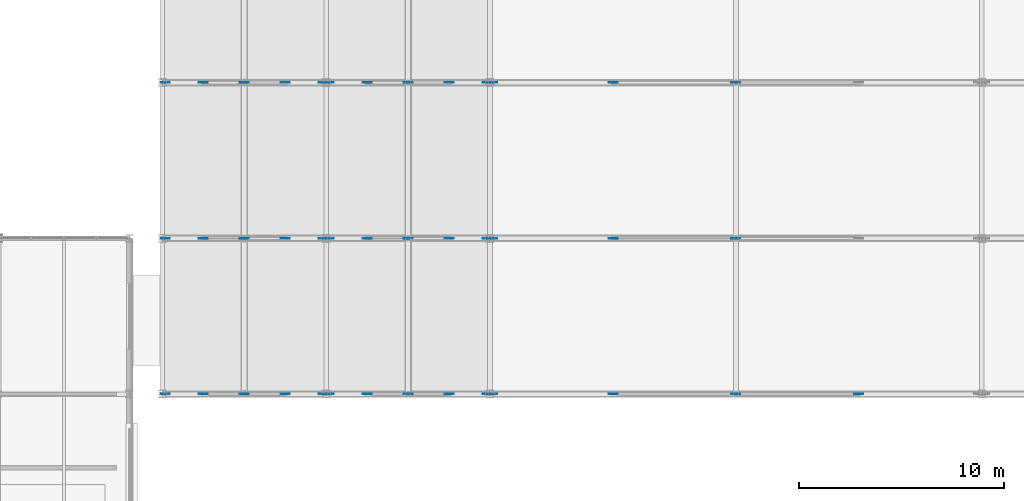
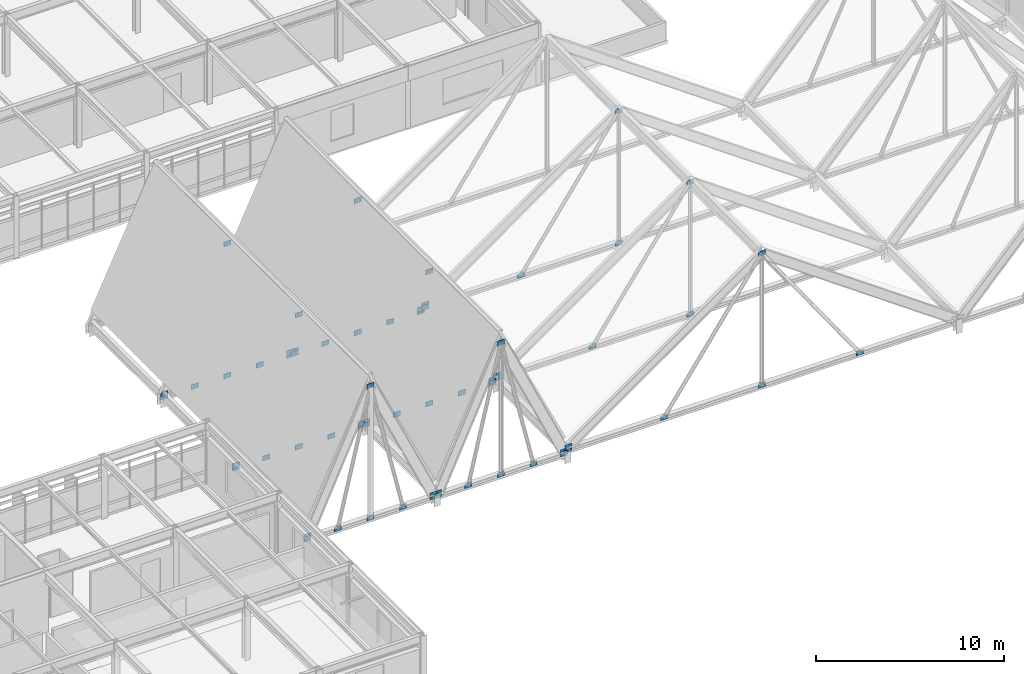
# One storey, part 65 of 85: 64 plates.
"""IFC4 building model written with IfcOpenShell, lengths in metres."""

from ifc_helpers import new_model, si_unit, direction, frame, origin, origin_2d, place, context, subcontext, project, spatial, rectangle, extrude, material, layer, layer_set, type_object, element, save


model = new_model("IFC4")

# Units and contexts
model_context = context("Model", 3, precision=1e-05, world=origin(), true_north=direction((0.0, 1.0)))
body_context = subcontext(model_context, "Body", "Model", "MODEL_VIEW")
ifc_project = project(units=[si_unit("LENGTHUNIT", "METRE"), si_unit("AREAUNIT", "SQUARE_METRE"), si_unit("VOLUMEUNIT", "CUBIC_METRE"), si_unit("PLANEANGLEUNIT", "RADIAN"), si_unit("MASSUNIT", "GRAM", prefix="KILO")], contexts=[model_context])

# Site, building, storey
site_placement = place(None, origin())
site = spatial("IfcSite", under=ifc_project, at=site_placement, CompositionType="ELEMENT")
building_placement = place(site_placement, origin())
building = spatial("IfcBuilding", under=site, at=building_placement, Name="Zulena Civic Courthouse", CompositionType="ELEMENT")
storey_placement = place(building_placement, frame((0.0, 0.0, 25.199951171875)))
storey = spatial("IfcBuildingStorey", under=building, at=storey_placement, Name="L05", CompositionType="ELEMENT", Elevation=25.199951171875)

# Plates
ifc_material = material(Name="Steel ASTM A572 Grade 50", Category="steel")
ifc_layer = layer(ifc_material, 0.02490234375)
ifc_layer_set = layer_set([ifc_layer], Name="Steel ASTM A572 Grade 50")
plate_type = type_object("IfcPlateType", Name="GussetPlate_440x320x25", PredefinedType="SHEET", material=ifc_layer_set)
for number, where, z_axis, x_axis, name in (
    (1, (68.139892578125, 15.199951171875, 0.18310546875), (0.0, 0.0, 1.0), (1.0, 0.0, 0.0), "plate:fd:postW:01:15.2:0"),
    (2, (68.139892578125, 15.199951171875, 0.3427734375), (0.0, 0.0, 1.0), (1.0, 0.0, 0.0), "plate:fd:postW:01:15.2:1"),
    (3, (75.860107421875, 15.199951171875, 0.18310546875), (0.0, 0.0, 1.0), (1.0, 0.0, 0.0), "plate:fd:postE:01:15.2:0"),
    (4, (75.860107421875, 15.199951171875, 0.3427734375), (0.0, 0.0, 1.0), (1.0, 0.0, 0.0), "plate:fd:postE:01:15.2:1"),
    (5, (72.0, 15.199951171875, 0.18310546875), (0.0, 0.0, 1.0), (1.0, 0.0, 0.0), "plate:fd:king:01:15.2:0"),
    (6, (72.0, 15.199951171875, 8.7431640625), (0.0, 0.0, 1.0), (1.0, 0.0, 0.0), "plate:fd:king:01:15.2:1"),
    (7, (70.0, 15.199951171875, 0.18310546875), (0.0, 0.0, 1.0), (1.0, 0.0, 0.0), "plate:fd:diagW:01:15.2:0"),
    (8, (74.0, 15.199951171875, 0.18310546875), (0.0, 0.0, 1.0), (1.0, 0.0, 0.0), "plate:fd:diagE:01:15.2:0"),
    (9, (68.139892578125, 22.800048828125, 0.18310546875), (0.0, 0.0, 1.0), (1.0, 0.0, 0.0), "plate:fd:postW:01:22.8:0"),
    (10, (68.139892578125, 22.800048828125, 0.3427734375), (0.0, 0.0, 1.0), (1.0, 0.0, 0.0), "plate:fd:postW:01:22.8:1"),
    (11, (75.860107421875, 22.800048828125, 0.18310546875), (0.0, 0.0, 1.0), (1.0, 0.0, 0.0), "plate:fd:postE:01:22.8:0"),
    (12, (75.860107421875, 22.800048828125, 0.3427734375), (0.0, 0.0, 1.0), (1.0, 0.0, 0.0), "plate:fd:postE:01:22.8:1"),
    (13, (72.0, 22.800048828125, 0.18310546875), (0.0, 0.0, 1.0), (1.0, 0.0, 0.0), "plate:fd:king:01:22.8:0"),
    (14, (72.0, 22.800048828125, 8.7431640625), (0.0, 0.0, 1.0), (1.0, 0.0, 0.0), "plate:fd:king:01:22.8:1"),
    (15, (70.0, 22.800048828125, 0.18310546875), (0.0, 0.0, 1.0), (1.0, 0.0, 0.0), "plate:fd:diagW:01:22.8:0"),
    (16, (74.0, 22.800048828125, 0.18310546875), (0.0, 0.0, 1.0), (1.0, 0.0, 0.0), "plate:fd:diagE:01:22.8:0"),
    (17, (68.139892578125, 30.39990234375, 0.18310546875), (0.0, 0.0, 1.0), (1.0, 0.0, 0.0), "plate:fd:postW:01:30.4:0"),
    (18, (68.139892578125, 30.39990234375, 0.3427734375), (0.0, 0.0, 1.0), (1.0, 0.0, 0.0), "plate:fd:postW:01:30.4:1"),
    (19, (75.860107421875, 30.39990234375, 0.18310546875), (0.0, 0.0, 1.0), (1.0, 0.0, 0.0), "plate:fd:postE:01:30.4:0"),
    (20, (75.860107421875, 30.39990234375, 0.3427734375), (0.0, 0.0, 1.0), (1.0, 0.0, 0.0), "plate:fd:postE:01:30.4:1"),
    (21, (72.0, 30.39990234375, 0.18310546875), (0.0, 0.0, 1.0), (1.0, 0.0, 0.0), "plate:fd:king:01:30.4:0"),
    (22, (72.0, 30.39990234375, 8.7431640625), (0.0, 0.0, 1.0), (1.0, 0.0, 0.0), "plate:fd:king:01:30.4:1"),
    (23, (70.0, 30.39990234375, 0.18310546875), (0.0, 0.0, 1.0), (1.0, 0.0, 0.0), "plate:fd:diagW:01:30.4:0"),
    (24, (74.0, 30.39990234375, 0.18310546875), (0.0, 0.0, 1.0), (1.0, 0.0, 0.0), "plate:fd:diagE:01:30.4:0"),
    (25, (76.139892578125, 15.199951171875, 0.18310546875), (0.0, 0.0, 1.0), (1.0, 0.0, 0.0), "plate:fd:postW:02:15.2:0"),
    (26, (76.139892578125, 15.199951171875, 0.3427734375), (0.0, 0.0, 1.0), (1.0, 0.0, 0.0), "plate:fd:postW:02:15.2:1"),
    (27, (83.860107421875, 15.199951171875, 0.18310546875), (0.0, 0.0, 1.0), (1.0, 0.0, 0.0), "plate:fd:postE:02:15.2:0"),
    (28, (83.860107421875, 15.199951171875, 0.3427734375), (0.0, 0.0, 1.0), (1.0, 0.0, 0.0), "plate:fd:postE:02:15.2:1"),
    (29, (80.0, 15.199951171875, 0.18310546875), (0.0, 0.0, 1.0), (1.0, 0.0, 0.0), "plate:fd:king:02:15.2:0"),
    (30, (80.0, 15.199951171875, 8.7431640625), (0.0, 0.0, 1.0), (1.0, 0.0, 0.0), "plate:fd:king:02:15.2:1"),
    (31, (78.0, 15.199951171875, 0.18310546875), (0.0, 0.0, 1.0), (1.0, 0.0, 0.0), "plate:fd:diagW:02:15.2:0"),
    (32, (82.0, 15.199951171875, 0.18310546875), (0.0, 0.0, 1.0), (1.0, 0.0, 0.0), "plate:fd:diagE:02:15.2:0"),
    (33, (76.139892578125, 22.800048828125, 0.18310546875), (0.0, 0.0, 1.0), (1.0, 0.0, 0.0), "plate:fd:postW:02:22.8:0"),
    (34, (76.139892578125, 22.800048828125, 0.3427734375), (0.0, 0.0, 1.0), (1.0, 0.0, 0.0), "plate:fd:postW:02:22.8:1"),
    (35, (83.860107421875, 22.800048828125, 0.18310546875), (0.0, 0.0, 1.0), (1.0, 0.0, 0.0), "plate:fd:postE:02:22.8:0"),
    (36, (83.860107421875, 22.800048828125, 0.3427734375), (0.0, 0.0, 1.0), (1.0, 0.0, 0.0), "plate:fd:postE:02:22.8:1"),
    (37, (80.0, 22.800048828125, 0.18310546875), (0.0, 0.0, 1.0), (1.0, 0.0, 0.0), "plate:fd:king:02:22.8:0"),
    (38, (80.0, 22.800048828125, 8.7431640625), (0.0, 0.0, 1.0), (1.0, 0.0, 0.0), "plate:fd:king:02:22.8:1"),
    (39, (78.0, 22.800048828125, 0.18310546875), (0.0, 0.0, 1.0), (1.0, 0.0, 0.0), "plate:fd:diagW:02:22.8:0"),
    (40, (82.0, 22.800048828125, 0.18310546875), (0.0, 0.0, 1.0), (1.0, 0.0, 0.0), "plate:fd:diagE:02:22.8:0"),
    (41, (76.139892578125, 30.39990234375, 0.18310546875), (0.0, 0.0, 1.0), (1.0, 0.0, 0.0), "plate:fd:postW:02:30.4:0"),
    (42, (76.139892578125, 30.39990234375, 0.3427734375), (0.0, 0.0, 1.0), (1.0, 0.0, 0.0), "plate:fd:postW:02:30.4:1"),
    (43, (83.860107421875, 30.39990234375, 0.18310546875), (0.0, 0.0, 1.0), (1.0, 0.0, 0.0), "plate:fd:postE:02:30.4:0"),
    (44, (83.860107421875, 30.39990234375, 0.3427734375), (0.0, 0.0, 1.0), (1.0, 0.0, 0.0), "plate:fd:postE:02:30.4:1"),
    (45, (80.0, 30.39990234375, 0.18310546875), (0.0, 0.0, 1.0), (1.0, 0.0, 0.0), "plate:fd:king:02:30.4:0"),
    (46, (80.0, 30.39990234375, 8.7431640625), (0.0, 0.0, 1.0), (1.0, 0.0, 0.0), "plate:fd:king:02:30.4:1"),
    (47, (78.0, 30.39990234375, 0.18310546875), (0.0, 0.0, 1.0), (1.0, 0.0, 0.0), "plate:fd:diagW:02:30.4:0"),
    (48, (82.0, 30.39990234375, 0.18310546875), (0.0, 0.0, 1.0), (1.0, 0.0, 0.0), "plate:fd:diagE:02:30.4:0"),
    (49, (84.139892578125, 15.199951171875, 0.37646484375), (0.0, 0.0, 1.0), (1.0, 0.0, 0.0), "plate:fd:postW:03:15.2:0"),
    (50, (84.139892578125, 15.199951171875, 0.53662109375), (0.0, 0.0, 1.0), (1.0, 0.0, 0.0), "plate:fd:postW:03:15.2:1"),
    (51, (96.0, 15.199951171875, 0.37646484375), (0.0, 0.0, 1.0), (1.0, 0.0, 0.0), "plate:fd:king:03:15.2:0"),
    (52, (96.0, 15.199951171875, 8.9365234375), (0.0, 0.0, 1.0), (1.0, 0.0, 0.0), "plate:fd:king:03:15.2:1"),
    (53, (90.0, 15.199951171875, 0.37646484375), (0.0, 0.0, 1.0), (1.0, 0.0, 0.0), "plate:fd:diagW:03:15.2:0"),
    (54, (102.0, 15.199951171875, 0.37646484375), (0.0, 0.0, 1.0), (1.0, 0.0, 0.0), "plate:fd:diagE:03:15.2:0"),
    (55, (84.139892578125, 22.800048828125, 0.37646484375), (0.0, 0.0, 1.0), (1.0, 0.0, 0.0), "plate:fd:postW:03:22.8:0"),
    (56, (84.139892578125, 22.800048828125, 0.53662109375), (0.0, 0.0, 1.0), (1.0, 0.0, 0.0), "plate:fd:postW:03:22.8:1"),
    (57, (96.0, 22.800048828125, 0.37646484375), (0.0, 0.0, 1.0), (1.0, 0.0, 0.0), "plate:fd:king:03:22.8:0"),
    (58, (96.0, 22.800048828125, 8.9365234375), (0.0, 0.0, 1.0), (1.0, 0.0, 0.0), "plate:fd:king:03:22.8:1"),
    (59, (90.0, 22.800048828125, 0.37646484375), (0.0, 0.0, 1.0), (1.0, 0.0, 0.0), "plate:fd:diagW:03:22.8:0"),
    (60, (84.139892578125, 30.39990234375, 0.37646484375), (0.0, 0.0, 1.0), (1.0, 0.0, 0.0), "plate:fd:postW:03:30.4:0"),
    (61, (84.139892578125, 30.39990234375, 0.53662109375), (0.0, 0.0, 1.0), (1.0, 0.0, 0.0), "plate:fd:postW:03:30.4:1"),
    (62, (96.0, 30.39990234375, 0.37646484375), (0.0, 0.0, 1.0), (1.0, 0.0, 0.0), "plate:fd:king:03:30.4:0"),
    (63, (96.0, 30.39990234375, 8.9365234375), (0.0, 0.0, 1.0), (1.0, 0.0, 0.0), "plate:fd:king:03:30.4:1"),
    (64, (90.0, 30.39990234375, 0.37646484375), (0.0, 0.0, 1.0), (1.0, 0.0, 0.0), "plate:fd:diagW:03:30.4:0"),
):
    element("IfcPlate", number, at=place(storey_placement, frame(where, z_axis=z_axis, x_axis=x_axis)), inside=storey, type_object=plate_type, Name=name, PredefinedType="SHEET", context=body_context, shape_type="SweptSolid", body=[
        extrude(rectangle(XDim=0.43994140625, YDim=0.02490234375, at=origin_2d()), origin(), (0.0, 0.0, 1.0), 0.320068359375),
    ])

save(model, "model.ifc")
